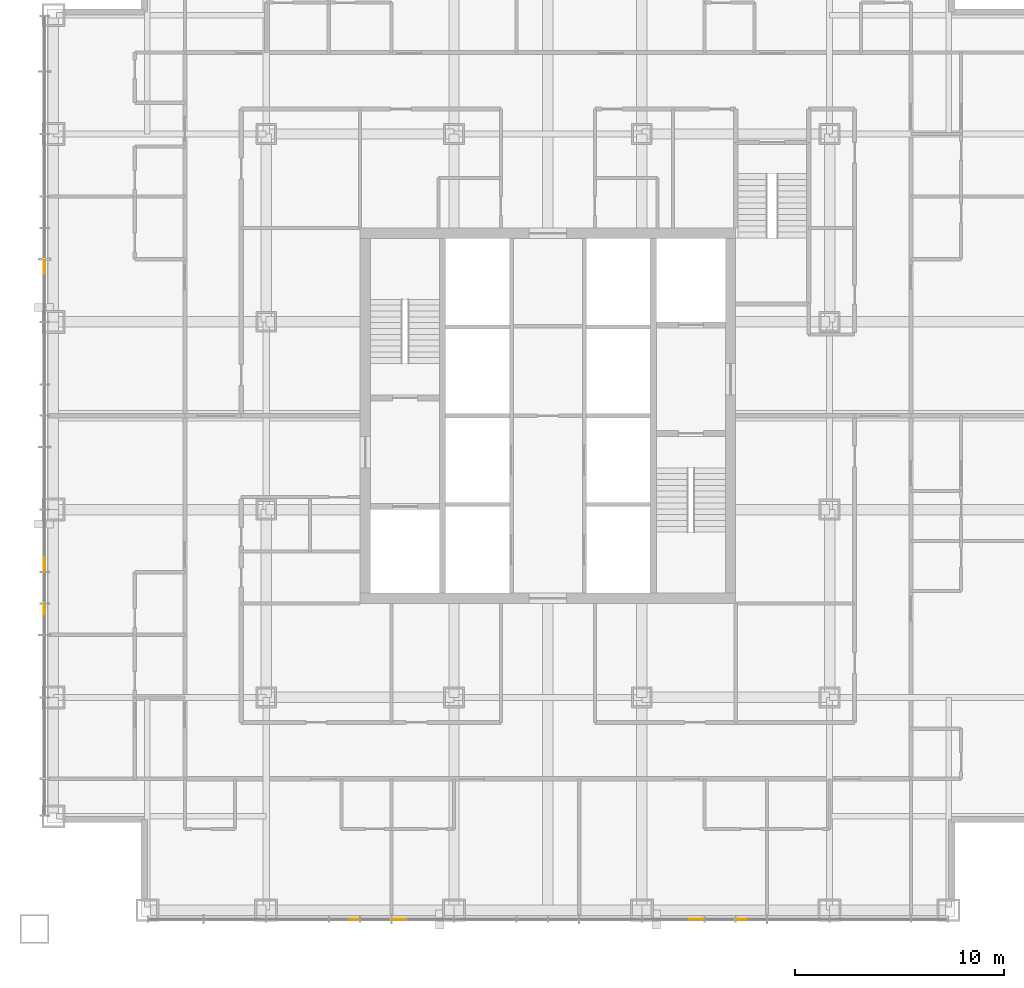
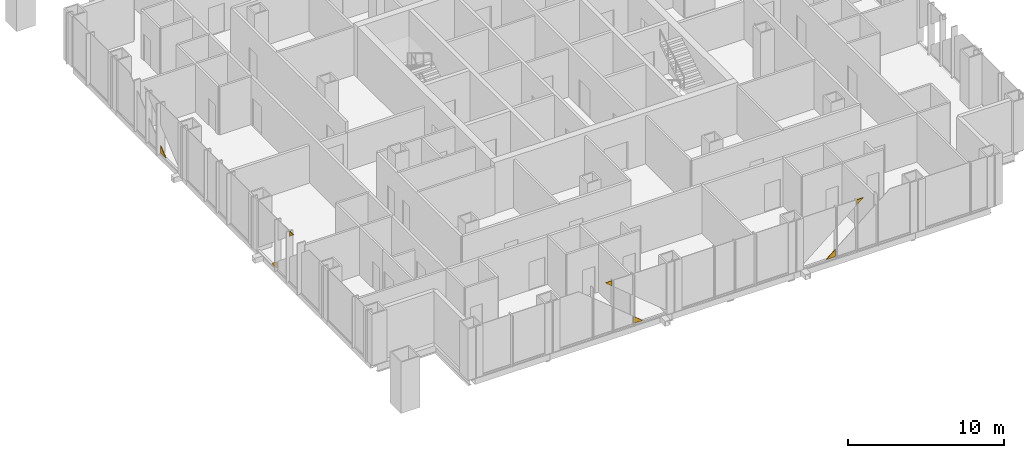
# One storey, part 15 of 18: 7 coverings.
"""IFC4 building model written with IfcOpenShell, lengths in metres."""

from ifc_helpers import new_model, si_unit, direction, frame, origin, place, context, subcontext, project, spatial, polyline, outline, extrude, material, layer, layer_set, type_object, element, save


model = new_model("IFC4")

# Units and contexts
model_context = context("Model", 3, precision=1e-05, world=origin(), true_north=direction((0.0, 1.0)))
body_context = subcontext(model_context, "Body", "Model", "MODEL_VIEW")
ifc_project = project(units=[si_unit("LENGTHUNIT", "METRE"), si_unit("AREAUNIT", "SQUARE_METRE"), si_unit("VOLUMEUNIT", "CUBIC_METRE"), si_unit("PLANEANGLEUNIT", "RADIAN"), si_unit("MASSUNIT", "GRAM", prefix="KILO")], contexts=[model_context])

# Site, building, storey
site_placement = place(None, origin())
site = spatial("IfcSite", under=ifc_project, at=site_placement, CompositionType="ELEMENT")
building_placement = place(site_placement, origin())
building = spatial("IfcBuilding", under=site, at=building_placement, Name="Malebo Sky Hospital", CompositionType="ELEMENT")
storey_placement = place(building_placement, frame((0.0, 0.0, 124.0)))
storey = spatial("IfcBuildingStorey", under=building, at=storey_placement, Name="L29", CompositionType="ELEMENT", Elevation=124.0)

# Coverings
ifc_material = material(Name="Anodised aluminium, natural silver insulated infill panel", Category="aluminium")
ifc_layer = layer(ifc_material, 0.0400390625)
ifc_layer_set = layer_set([ifc_layer], Name="BRACE INFILL PANEL 40")
covering_type = type_object("IfcCoveringType", Name="BRACE INFILL PANEL 40", PredefinedType="CLADDING", material=ifc_layer_set)
covering_1_placement = place(storey_placement, frame((35.864990234375, 52.71630859375, 3.584228515625), z_axis=(0.0, 0.0, 1.0), x_axis=(0.0, 1.0, 0.0)))
element("IfcCovering", 1, at=covering_1_placement, inside=storey, type_object=covering_type, Name="Brace infill panel 4.1", PredefinedType="CLADDING", context=body_context, shape_type="SweptSolid", body=[
    extrude(outline(polyline([(0.24609375, 0.0), (0.24609375, 0.40576171875), (-0.24609375, 0.40576171875), (0.24609375, 0.0)])), frame((0.0, 0.02001953125, 0.0), z_axis=(0.0, -1.0, 0.0), x_axis=(1.0, 0.0, 0.0)), (0.0, 0.0, 1.0), 0.0400390625),
])
covering_2_placement = place(storey_placement, frame((35.864990234375, 54.880126953125, 0.10009765625), z_axis=(0.0, 0.0, 1.0), x_axis=(0.0, 1.0, 0.0)))
element("IfcCovering", 2, at=covering_2_placement, inside=storey, type_object=covering_type, Name="Brace infill panel 6.1", PredefinedType="CLADDING", context=body_context, shape_type="SweptSolid", body=[
    extrude(outline(polyline([(-0.3427734375, 0.0), (0.3427734375, 0.0), (-0.3427734375, 0.56494140625), (-0.3427734375, 0.0)])), frame((0.0, 0.02001953125, 0.0), z_axis=(0.0, -1.0, 0.0), x_axis=(1.0, 0.0, 0.0)), (0.0, 0.0, 1.0), 0.0400390625),
])
covering_3_placement = place(storey_placement, frame((35.864990234375, 69.119873046875, 0.10009765625), z_axis=(0.0, 0.0, 1.0), x_axis=(0.0, 1.0, 0.0)))
element("IfcCovering", 3, at=covering_3_placement, inside=storey, type_object=covering_type, Name="Brace infill panel 11.1", PredefinedType="CLADDING", context=body_context, shape_type="SweptSolid", body=[
    extrude(outline(polyline([(-0.3427734375, 0.0), (0.3427734375, 0.0), (0.3427734375, 0.56494140625), (-0.3427734375, 0.0)])), frame((0.0, 0.02001953125, 0.0), z_axis=(0.0, -1.0, 0.0), x_axis=(1.0, 0.0, 0.0)), (0.0, 0.0, 1.0), 0.0400390625),
])
covering_4_placement = place(storey_placement, frame((69.28369140625, 37.864990234375, 3.584228515625), z_axis=(0.0, 0.0, 1.0), x_axis=(-1.0, 0.0, 0.0)))
element("IfcCovering", 4, at=covering_4_placement, inside=storey, type_object=covering_type, Name="Brace infill panel 4.1", PredefinedType="CLADDING", context=body_context, shape_type="SweptSolid", body=[
    extrude(outline(polyline([(0.24609375, 0.0), (0.24609375, 0.40576171875), (-0.24609375, 0.40576171875), (0.24609375, 0.0)])), frame((0.0, 0.02001953125, 0.0), z_axis=(0.0, -1.0, 0.0), x_axis=(1.0, 0.0, 0.0)), (0.0, 0.0, 1.0), 0.0400390625),
])
covering_5_placement = place(storey_placement, frame((67.119873046875, 37.864990234375, 0.10009765625), z_axis=(0.0, 0.0, 1.0), x_axis=(-1.0, 0.0, 0.0)))
element("IfcCovering", 5, at=covering_5_placement, inside=storey, type_object=covering_type, Name="Brace infill panel 6.1", PredefinedType="CLADDING", context=body_context, shape_type="SweptSolid", body=[
    extrude(outline(polyline([(-0.3427734375, 0.0), (0.3427734375, 0.0), (-0.3427734375, 0.56494140625), (-0.3427734375, 0.0)])), frame((0.0, 0.02001953125, 0.0), z_axis=(0.0, -1.0, 0.0), x_axis=(1.0, 0.0, 0.0)), (0.0, 0.0, 1.0), 0.0400390625),
])
covering_6_placement = place(storey_placement, frame((52.880126953125, 37.864990234375, 0.10009765625), z_axis=(0.0, 0.0, 1.0), x_axis=(-1.0, 0.0, 0.0)))
element("IfcCovering", 6, at=covering_6_placement, inside=storey, type_object=covering_type, Name="Brace infill panel 11.1", PredefinedType="CLADDING", context=body_context, shape_type="SweptSolid", body=[
    extrude(outline(polyline([(-0.3427734375, 0.0), (0.3427734375, 0.0), (0.3427734375, 0.56494140625), (-0.3427734375, 0.0)])), frame((0.0, 0.02001953125, 0.0), z_axis=(0.0, -1.0, 0.0), x_axis=(1.0, 0.0, 0.0)), (0.0, 0.0, 1.0), 0.0400390625),
])
covering_7_placement = place(storey_placement, frame((50.71630859375, 37.864990234375, 3.584228515625), z_axis=(0.0, 0.0, 1.0), x_axis=(-1.0, 0.0, 0.0)))
element("IfcCovering", 7, at=covering_7_placement, inside=storey, type_object=covering_type, Name="Brace infill panel 13.1", PredefinedType="CLADDING", context=body_context, shape_type="SweptSolid", body=[
    extrude(outline(polyline([(-0.24609375, 0.0), (0.24609375, 0.40576171875), (-0.24609375, 0.40576171875), (-0.24609375, 0.0)])), frame((0.0, 0.02001953125, 0.0), z_axis=(0.0, -1.0, 0.0), x_axis=(1.0, 0.0, 0.0)), (0.0, 0.0, 1.0), 0.0400390625),
])

save(model, "model.ifc")
